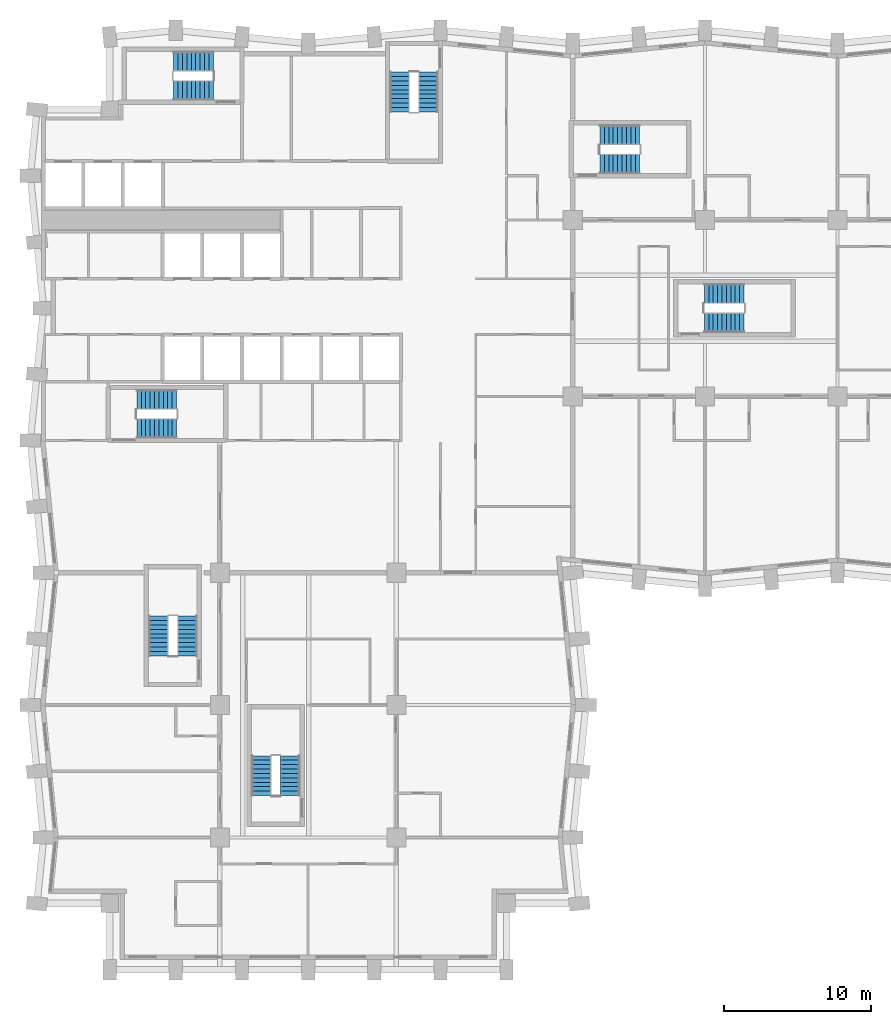
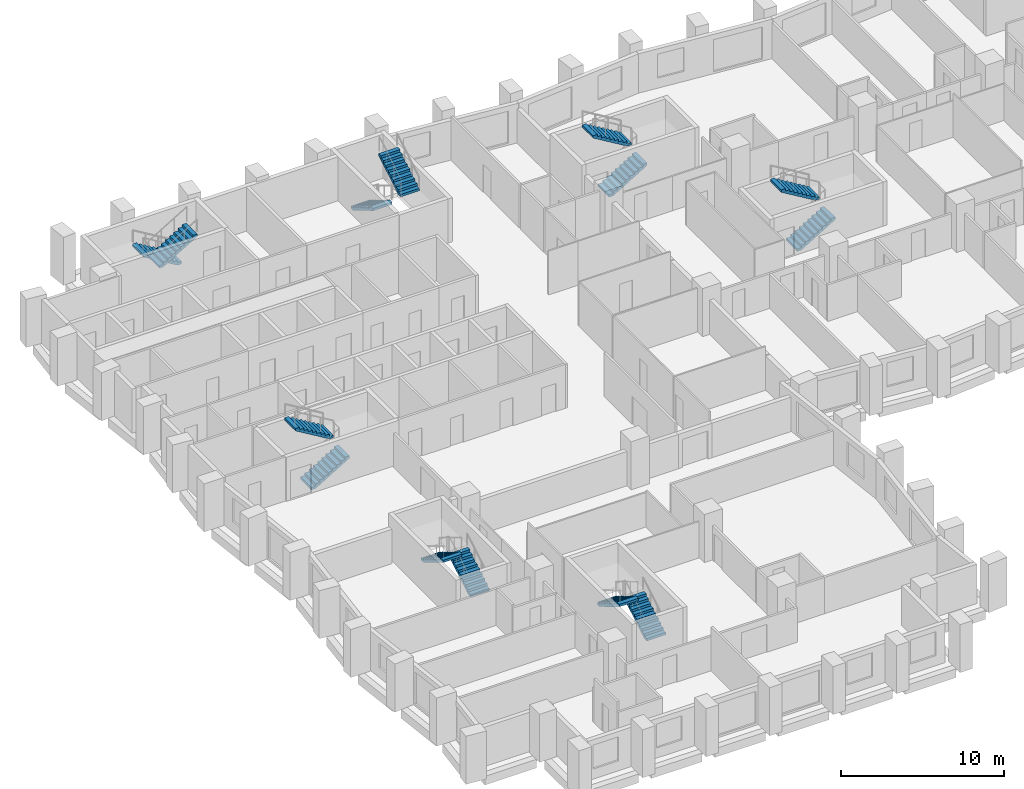
# One storey, part 11 of 13: 14 stair flights, 7 elements without a shape of their own.
"""IFC4 building model written with IfcOpenShell, lengths in metres."""

from ifc_helpers import new_model, si_unit, direction, frame, origin, place, context, subcontext, project, spatial, polyline, outline, extrude, material, type_object, element, aggregate, save


model = new_model("IFC4")

# Units and contexts
model_context = context("Model", 3, precision=1e-05, world=origin(), true_north=direction((0.0, 1.0)))
body_context = subcontext(model_context, "Body", "Model", "MODEL_VIEW")
ifc_project = project(units=[si_unit("LENGTHUNIT", "METRE"), si_unit("AREAUNIT", "SQUARE_METRE"), si_unit("VOLUMEUNIT", "CUBIC_METRE"), si_unit("PLANEANGLEUNIT", "RADIAN"), si_unit("MASSUNIT", "GRAM", prefix="KILO")], contexts=[model_context])

# Site, building, storey
site_placement = place(None, origin())
site = spatial("IfcSite", under=ifc_project, at=site_placement, CompositionType="ELEMENT")
building_placement = place(site_placement, origin())
building = spatial("IfcBuilding", under=site, at=building_placement, Name="Brondeck Convention Tower", CompositionType="ELEMENT")
storey_placement = place(building_placement, frame((0.0, 0.0, 73.5)))
storey = spatial("IfcBuildingStorey", under=building, at=storey_placement, Name="L16", CompositionType="ELEMENT", Elevation=73.5)

# Stair, stair flights
ifc_material = material(Name="Precast concrete C50/60", Category="concrete")
stair_type = type_object("IfcStairType", Name="Core stair 20 risers 180.00 mm riser 300 mm going 1350 wide", PredefinedType="HALF_TURN_STAIR", material=ifc_material)
stair_1_placement = place(storey_placement, origin())
stair_1 = element("IfcStair", 1, at=stair_1_placement, inside=storey, type_object=stair_type, Name="ST-1 L16 stair", PredefinedType="HALF_TURN_STAIR")
stair_flight_type = type_object("IfcStairFlightType", Name="Core stair flight 20 risers 180.00 mm riser 300 mm going 1350 wide", PredefinedType="STRAIGHT", material=ifc_material)
stair_flight_1_placement = place(storey_placement, frame((6.35009765625, 36.824951171875, 0.0), z_axis=(0.0, 0.0, 1.0), x_axis=(1.0, 0.0, 0.0)))
stair_flight_1 = element("IfcStairFlight", 2, at=stair_flight_1_placement, type_object=stair_flight_type, Name="ST-1 flight 1", NumberOfRisers=10, NumberOfTreads=9, PredefinedType="STRAIGHT", RiserHeight=0.18, TreadLength=0.3, context=body_context, shape_type="SweptSolid", body=[
    extrude(outline(polyline([(0.0, 0.0), (0.0, 0.179931640625), (0.300048828125, 0.179931640625), (0.300048828125, 0.360107421875), (0.60009765625, 0.360107421875), (0.60009765625, 0.5400390625), (0.89990234375, 0.5400390625), (0.89990234375, 0.719970703125), (1.199951171875, 0.719970703125), (1.199951171875, 0.89990234375), (1.5, 0.89990234375), (1.5, 1.080078125), (1.800048828125, 1.080078125), (1.800048828125, 1.260009765625), (2.10009765625, 1.260009765625), (2.10009765625, 1.43994140625), (2.39990234375, 1.43994140625), (2.39990234375, 1.6201171875), (2.699951171875, 1.6201171875), (2.699951171875, 1.800048828125), (2.699951171875, 1.445068359375), (0.291259765625, 0.0), (0.0, 0.0)])), frame((0.0, 0.675048828125, 0.0), z_axis=(0.0, -1.0, 0.0), x_axis=(1.0, 0.0, 0.0)), (0.0, 0.0, 1.0), 1.35009765625),
])
stair_flight_2_placement = place(storey_placement, frame((9.050048828125, 38.77490234375, 1.800048828125), z_axis=(0.0, 0.0, 1.0), x_axis=(-1.0, 0.0, 0.0)))
stair_flight_2 = element("IfcStairFlight", 3, at=stair_flight_2_placement, type_object=stair_flight_type, Name="ST-1 flight 2", NumberOfRisers=10, NumberOfTreads=9, PredefinedType="STRAIGHT", RiserHeight=0.18, TreadLength=0.3, context=body_context, shape_type="SweptSolid", body=[
    extrude(outline(polyline([(0.0, 0.0), (0.0, 0.179931640625), (0.300048828125, 0.179931640625), (0.300048828125, 0.360107421875), (0.60009765625, 0.360107421875), (0.60009765625, 0.5400390625), (0.89990234375, 0.5400390625), (0.89990234375, 0.719970703125), (1.199951171875, 0.719970703125), (1.199951171875, 0.89990234375), (1.5, 0.89990234375), (1.5, 1.080078125), (1.800048828125, 1.080078125), (1.800048828125, 1.260009765625), (2.10009765625, 1.260009765625), (2.10009765625, 1.43994140625), (2.39990234375, 1.43994140625), (2.39990234375, 1.6201171875), (2.699951171875, 1.6201171875), (2.699951171875, 1.800048828125), (2.699951171875, 1.445068359375), (0.291259765625, 0.0), (0.0, 0.0)])), frame((0.0, 0.675048828125, 0.0), z_axis=(0.0, -1.0, 0.0), x_axis=(1.0, 0.0, 0.0)), (0.0, 0.0, 1.0), 1.35009765625),
])
aggregate(stair_1, [stair_flight_1, stair_flight_2])

stair_2_placement = place(storey_placement, origin())
stair_2 = element("IfcStair", 4, at=stair_2_placement, inside=storey, type_object=stair_type, Name="ST-2 L16 stair", PredefinedType="HALF_TURN_STAIR")
stair_flight_3_placement = place(storey_placement, frame((24.22509765625, 61.050048828125, 0.0), z_axis=(0.0, 0.0, 1.0), x_axis=(0.0, -1.0, 0.0)))
stair_flight_3 = element("IfcStairFlight", 5, at=stair_flight_3_placement, type_object=stair_flight_type, Name="ST-2 flight 1", NumberOfRisers=10, NumberOfTreads=9, PredefinedType="STRAIGHT", RiserHeight=0.18, TreadLength=0.3, context=body_context, shape_type="SweptSolid", body=[
    extrude(outline(polyline([(0.0, 0.0), (0.0, 0.179931640625), (0.300048828125, 0.179931640625), (0.300048828125, 0.360107421875), (0.60009765625, 0.360107421875), (0.60009765625, 0.5400390625), (0.89990234375, 0.5400390625), (0.89990234375, 0.719970703125), (1.199951171875, 0.719970703125), (1.199951171875, 0.89990234375), (1.5, 0.89990234375), (1.5, 1.080078125), (1.800048828125, 1.080078125), (1.800048828125, 1.260009765625), (2.10009765625, 1.260009765625), (2.10009765625, 1.43994140625), (2.39990234375, 1.43994140625), (2.39990234375, 1.6201171875), (2.699951171875, 1.6201171875), (2.699951171875, 1.800048828125), (2.699951171875, 1.445068359375), (0.291259765625, 0.0), (0.0, 0.0)])), frame((0.0, 0.675048828125, 0.0), z_axis=(0.0, -1.0, 0.0), x_axis=(1.0, 0.0, 0.0)), (0.0, 0.0, 1.0), 1.35009765625),
])
stair_flight_4_placement = place(storey_placement, frame((26.175048828125, 58.35009765625, 1.800048828125), z_axis=(0.0, 0.0, 1.0), x_axis=(0.0, 1.0, 0.0)))
stair_flight_4 = element("IfcStairFlight", 6, at=stair_flight_4_placement, type_object=stair_flight_type, Name="ST-2 flight 2", NumberOfRisers=10, NumberOfTreads=9, PredefinedType="STRAIGHT", RiserHeight=0.18, TreadLength=0.3, context=body_context, shape_type="SweptSolid", body=[
    extrude(outline(polyline([(0.0, 0.0), (0.0, 0.179931640625), (0.300048828125, 0.179931640625), (0.300048828125, 0.360107421875), (0.60009765625, 0.360107421875), (0.60009765625, 0.5400390625), (0.89990234375, 0.5400390625), (0.89990234375, 0.719970703125), (1.199951171875, 0.719970703125), (1.199951171875, 0.89990234375), (1.5, 0.89990234375), (1.5, 1.080078125), (1.800048828125, 1.080078125), (1.800048828125, 1.260009765625), (2.10009765625, 1.260009765625), (2.10009765625, 1.43994140625), (2.39990234375, 1.43994140625), (2.39990234375, 1.6201171875), (2.699951171875, 1.6201171875), (2.699951171875, 1.800048828125), (2.699951171875, 1.445068359375), (0.291259765625, 0.0), (0.0, 0.0)])), frame((0.0, 0.675048828125, 0.0), z_axis=(0.0, -1.0, 0.0), x_axis=(1.0, 0.0, 0.0)), (0.0, 0.0, 1.0), 1.35009765625),
])
aggregate(stair_2, [stair_flight_3, stair_flight_4])

stair_3_placement = place(storey_placement, origin())
stair_3 = element("IfcStair", 7, at=stair_3_placement, inside=storey, type_object=stair_type, Name="ST-3 L16 stair", PredefinedType="HALF_TURN_STAIR")
stair_flight_5_placement = place(storey_placement, frame((11.550048828125, 61.77490234375, 0.0), z_axis=(0.0, 0.0, 1.0), x_axis=(-1.0, 0.0, 0.0)))
stair_flight_5 = element("IfcStairFlight", 8, at=stair_flight_5_placement, type_object=stair_flight_type, Name="ST-3 flight 1", NumberOfRisers=10, NumberOfTreads=9, PredefinedType="STRAIGHT", RiserHeight=0.18, TreadLength=0.3, context=body_context, shape_type="SweptSolid", body=[
    extrude(outline(polyline([(0.0, 0.0), (0.0, 0.179931640625), (0.300048828125, 0.179931640625), (0.300048828125, 0.360107421875), (0.60009765625, 0.360107421875), (0.60009765625, 0.5400390625), (0.89990234375, 0.5400390625), (0.89990234375, 0.719970703125), (1.199951171875, 0.719970703125), (1.199951171875, 0.89990234375), (1.5, 0.89990234375), (1.5, 1.080078125), (1.800048828125, 1.080078125), (1.800048828125, 1.260009765625), (2.10009765625, 1.260009765625), (2.10009765625, 1.43994140625), (2.39990234375, 1.43994140625), (2.39990234375, 1.6201171875), (2.699951171875, 1.6201171875), (2.699951171875, 1.800048828125), (2.699951171875, 1.445068359375), (0.291259765625, 0.0), (0.0, 0.0)])), frame((0.0, 0.675048828125, 0.0), z_axis=(0.0, -1.0, 0.0), x_axis=(1.0, 0.0, 0.0)), (0.0, 0.0, 1.0), 1.35009765625),
])
stair_flight_6_placement = place(storey_placement, frame((8.85009765625, 59.824951171875, 1.800048828125), z_axis=(0.0, 0.0, 1.0), x_axis=(1.0, 0.0, 0.0)))
stair_flight_6 = element("IfcStairFlight", 9, at=stair_flight_6_placement, type_object=stair_flight_type, Name="ST-3 flight 2", NumberOfRisers=10, NumberOfTreads=9, PredefinedType="STRAIGHT", RiserHeight=0.18, TreadLength=0.3, context=body_context, shape_type="SweptSolid", body=[
    extrude(outline(polyline([(0.0, 0.0), (0.0, 0.179931640625), (0.300048828125, 0.179931640625), (0.300048828125, 0.360107421875), (0.60009765625, 0.360107421875), (0.60009765625, 0.5400390625), (0.89990234375, 0.5400390625), (0.89990234375, 0.719970703125), (1.199951171875, 0.719970703125), (1.199951171875, 0.89990234375), (1.5, 0.89990234375), (1.5, 1.080078125), (1.800048828125, 1.080078125), (1.800048828125, 1.260009765625), (2.10009765625, 1.260009765625), (2.10009765625, 1.43994140625), (2.39990234375, 1.43994140625), (2.39990234375, 1.6201171875), (2.699951171875, 1.6201171875), (2.699951171875, 1.800048828125), (2.699951171875, 1.445068359375), (0.291259765625, 0.0), (0.0, 0.0)])), frame((0.0, 0.675048828125, 0.0), z_axis=(0.0, -1.0, 0.0), x_axis=(1.0, 0.0, 0.0)), (0.0, 0.0, 1.0), 1.35009765625),
])
aggregate(stair_3, [stair_flight_5, stair_flight_6])

stair_4_placement = place(storey_placement, origin())
stair_4 = element("IfcStair", 10, at=stair_4_placement, inside=storey, type_object=stair_type, Name="ST-AE L16 stair", PredefinedType="HALF_TURN_STAIR")
stair_flight_7_placement = place(storey_placement, frame((37.85009765625, 54.824951171875, 0.0), z_axis=(0.0, 0.0, 1.0), x_axis=(1.0, 0.0, 0.0)))
stair_flight_7 = element("IfcStairFlight", 11, at=stair_flight_7_placement, type_object=stair_flight_type, Name="ST-AE flight 1", NumberOfRisers=10, NumberOfTreads=9, PredefinedType="STRAIGHT", RiserHeight=0.18, TreadLength=0.3, context=body_context, shape_type="SweptSolid", body=[
    extrude(outline(polyline([(0.0, 0.0), (0.0, 0.179931640625), (0.300048828125, 0.179931640625), (0.300048828125, 0.360107421875), (0.60009765625, 0.360107421875), (0.60009765625, 0.5400390625), (0.89990234375, 0.5400390625), (0.89990234375, 0.719970703125), (1.199951171875, 0.719970703125), (1.199951171875, 0.89990234375), (1.5, 0.89990234375), (1.5, 1.080078125), (1.800048828125, 1.080078125), (1.800048828125, 1.260009765625), (2.10009765625, 1.260009765625), (2.10009765625, 1.43994140625), (2.39990234375, 1.43994140625), (2.39990234375, 1.6201171875), (2.699951171875, 1.6201171875), (2.699951171875, 1.800048828125), (2.699951171875, 1.445068359375), (0.291259765625, 0.0), (0.0, 0.0)])), frame((0.0, 0.675048828125, 0.0), z_axis=(0.0, -1.0, 0.0), x_axis=(1.0, 0.0, 0.0)), (0.0, 0.0, 1.0), 1.35009765625),
])
stair_flight_8_placement = place(storey_placement, frame((40.550048828125, 56.77490234375, 1.800048828125), z_axis=(0.0, 0.0, 1.0), x_axis=(-1.0, 0.0, 0.0)))
stair_flight_8 = element("IfcStairFlight", 12, at=stair_flight_8_placement, type_object=stair_flight_type, Name="ST-AE flight 2", NumberOfRisers=10, NumberOfTreads=9, PredefinedType="STRAIGHT", RiserHeight=0.18, TreadLength=0.3, context=body_context, shape_type="SweptSolid", body=[
    extrude(outline(polyline([(0.0, 0.0), (0.0, 0.179931640625), (0.300048828125, 0.179931640625), (0.300048828125, 0.360107421875), (0.60009765625, 0.360107421875), (0.60009765625, 0.5400390625), (0.89990234375, 0.5400390625), (0.89990234375, 0.719970703125), (1.199951171875, 0.719970703125), (1.199951171875, 0.89990234375), (1.5, 0.89990234375), (1.5, 1.080078125), (1.800048828125, 1.080078125), (1.800048828125, 1.260009765625), (2.10009765625, 1.260009765625), (2.10009765625, 1.43994140625), (2.39990234375, 1.43994140625), (2.39990234375, 1.6201171875), (2.699951171875, 1.6201171875), (2.699951171875, 1.800048828125), (2.699951171875, 1.445068359375), (0.291259765625, 0.0), (0.0, 0.0)])), frame((0.0, 0.675048828125, 0.0), z_axis=(0.0, -1.0, 0.0), x_axis=(1.0, 0.0, 0.0)), (0.0, 0.0, 1.0), 1.35009765625),
])
aggregate(stair_4, [stair_flight_7, stair_flight_8])

stair_5_placement = place(storey_placement, origin())
stair_5 = element("IfcStair", 13, at=stair_5_placement, inside=storey, type_object=stair_type, Name="ST-BE L16 stair", PredefinedType="HALF_TURN_STAIR")
stair_flight_9_placement = place(storey_placement, frame((9.77490234375, 21.35009765625, 0.0), z_axis=(0.0, 0.0, 1.0), x_axis=(0.0, 1.0, 0.0)))
stair_flight_9 = element("IfcStairFlight", 14, at=stair_flight_9_placement, type_object=stair_flight_type, Name="ST-BE flight 1", NumberOfRisers=10, NumberOfTreads=9, PredefinedType="STRAIGHT", RiserHeight=0.18, TreadLength=0.3, context=body_context, shape_type="SweptSolid", body=[
    extrude(outline(polyline([(0.0, 0.0), (0.0, 0.179931640625), (0.300048828125, 0.179931640625), (0.300048828125, 0.360107421875), (0.60009765625, 0.360107421875), (0.60009765625, 0.5400390625), (0.89990234375, 0.5400390625), (0.89990234375, 0.719970703125), (1.199951171875, 0.719970703125), (1.199951171875, 0.89990234375), (1.5, 0.89990234375), (1.5, 1.080078125), (1.800048828125, 1.080078125), (1.800048828125, 1.260009765625), (2.10009765625, 1.260009765625), (2.10009765625, 1.43994140625), (2.39990234375, 1.43994140625), (2.39990234375, 1.6201171875), (2.699951171875, 1.6201171875), (2.699951171875, 1.800048828125), (2.699951171875, 1.445068359375), (0.291259765625, 0.0), (0.0, 0.0)])), frame((0.0, 0.675048828125, 0.0), z_axis=(0.0, -1.0, 0.0), x_axis=(1.0, 0.0, 0.0)), (0.0, 0.0, 1.0), 1.35009765625),
])
stair_flight_10_placement = place(storey_placement, frame((7.824951171875, 24.050048828125, 1.800048828125), z_axis=(0.0, 0.0, 1.0), x_axis=(0.0, -1.0, 0.0)))
stair_flight_10 = element("IfcStairFlight", 15, at=stair_flight_10_placement, type_object=stair_flight_type, Name="ST-BE flight 2", NumberOfRisers=10, NumberOfTreads=9, PredefinedType="STRAIGHT", RiserHeight=0.18, TreadLength=0.3, context=body_context, shape_type="SweptSolid", body=[
    extrude(outline(polyline([(0.0, 0.0), (0.0, 0.179931640625), (0.300048828125, 0.179931640625), (0.300048828125, 0.360107421875), (0.60009765625, 0.360107421875), (0.60009765625, 0.5400390625), (0.89990234375, 0.5400390625), (0.89990234375, 0.719970703125), (1.199951171875, 0.719970703125), (1.199951171875, 0.89990234375), (1.5, 0.89990234375), (1.5, 1.080078125), (1.800048828125, 1.080078125), (1.800048828125, 1.260009765625), (2.10009765625, 1.260009765625), (2.10009765625, 1.43994140625), (2.39990234375, 1.43994140625), (2.39990234375, 1.6201171875), (2.699951171875, 1.6201171875), (2.699951171875, 1.800048828125), (2.699951171875, 1.445068359375), (0.291259765625, 0.0), (0.0, 0.0)])), frame((0.0, 0.675048828125, 0.0), z_axis=(0.0, -1.0, 0.0), x_axis=(1.0, 0.0, 0.0)), (0.0, 0.0, 1.0), 1.35009765625),
])
aggregate(stair_5, [stair_flight_9, stair_flight_10])

stair_6_placement = place(storey_placement, origin())
stair_6 = element("IfcStair", 16, at=stair_6_placement, inside=storey, type_object=stair_type, Name="ST-AF L16 stair", PredefinedType="HALF_TURN_STAIR")
stair_flight_11_placement = place(storey_placement, frame((44.949951171875, 44.02490234375, 0.0), z_axis=(0.0, 0.0, 1.0), x_axis=(1.0, 0.0, 0.0)))
stair_flight_11 = element("IfcStairFlight", 17, at=stair_flight_11_placement, type_object=stair_flight_type, Name="ST-AF flight 1", NumberOfRisers=10, NumberOfTreads=9, PredefinedType="STRAIGHT", RiserHeight=0.18, TreadLength=0.3, context=body_context, shape_type="SweptSolid", body=[
    extrude(outline(polyline([(0.0, 0.0), (0.0, 0.179931640625), (0.300048828125, 0.179931640625), (0.300048828125, 0.360107421875), (0.60009765625, 0.360107421875), (0.60009765625, 0.5400390625), (0.89990234375, 0.5400390625), (0.89990234375, 0.719970703125), (1.199951171875, 0.719970703125), (1.199951171875, 0.89990234375), (1.5, 0.89990234375), (1.5, 1.080078125), (1.800048828125, 1.080078125), (1.800048828125, 1.260009765625), (2.10009765625, 1.260009765625), (2.10009765625, 1.43994140625), (2.39990234375, 1.43994140625), (2.39990234375, 1.6201171875), (2.699951171875, 1.6201171875), (2.699951171875, 1.800048828125), (2.699951171875, 1.445068359375), (0.291259765625, 0.0), (0.0, 0.0)])), frame((0.0, 0.675048828125, 0.0), z_axis=(0.0, -1.0, 0.0), x_axis=(1.0, 0.0, 0.0)), (0.0, 0.0, 1.0), 1.35009765625),
])
stair_flight_12_placement = place(storey_placement, frame((47.64990234375, 45.97509765625, 1.800048828125), z_axis=(0.0, 0.0, 1.0), x_axis=(-1.0, 0.0, 0.0)))
stair_flight_12 = element("IfcStairFlight", 18, at=stair_flight_12_placement, type_object=stair_flight_type, Name="ST-AF flight 2", NumberOfRisers=10, NumberOfTreads=9, PredefinedType="STRAIGHT", RiserHeight=0.18, TreadLength=0.3, context=body_context, shape_type="SweptSolid", body=[
    extrude(outline(polyline([(0.0, 0.0), (0.0, 0.179931640625), (0.300048828125, 0.179931640625), (0.300048828125, 0.360107421875), (0.60009765625, 0.360107421875), (0.60009765625, 0.5400390625), (0.89990234375, 0.5400390625), (0.89990234375, 0.719970703125), (1.199951171875, 0.719970703125), (1.199951171875, 0.89990234375), (1.5, 0.89990234375), (1.5, 1.080078125), (1.800048828125, 1.080078125), (1.800048828125, 1.260009765625), (2.10009765625, 1.260009765625), (2.10009765625, 1.43994140625), (2.39990234375, 1.43994140625), (2.39990234375, 1.6201171875), (2.699951171875, 1.6201171875), (2.699951171875, 1.800048828125), (2.699951171875, 1.445068359375), (0.291259765625, 0.0), (0.0, 0.0)])), frame((0.0, 0.675048828125, 0.0), z_axis=(0.0, -1.0, 0.0), x_axis=(1.0, 0.0, 0.0)), (0.0, 0.0, 1.0), 1.35009765625),
])
aggregate(stair_6, [stair_flight_11, stair_flight_12])

stair_7_placement = place(storey_placement, origin())
stair_7 = element("IfcStair", 19, at=stair_7_placement, inside=storey, type_object=stair_type, Name="ST-BF L16 stair", PredefinedType="HALF_TURN_STAIR")
stair_flight_13_placement = place(storey_placement, frame((16.77490234375, 11.85009765625, 0.0), z_axis=(0.0, 0.0, 1.0), x_axis=(0.0, 1.0, 0.0)))
stair_flight_13 = element("IfcStairFlight", 20, at=stair_flight_13_placement, type_object=stair_flight_type, Name="ST-BF flight 1", NumberOfRisers=10, NumberOfTreads=9, PredefinedType="STRAIGHT", RiserHeight=0.18, TreadLength=0.3, context=body_context, shape_type="SweptSolid", body=[
    extrude(outline(polyline([(0.0, 0.0), (0.0, 0.179931640625), (0.300048828125, 0.179931640625), (0.300048828125, 0.360107421875), (0.60009765625, 0.360107421875), (0.60009765625, 0.5400390625), (0.89990234375, 0.5400390625), (0.89990234375, 0.719970703125), (1.199951171875, 0.719970703125), (1.199951171875, 0.89990234375), (1.5, 0.89990234375), (1.5, 1.080078125), (1.800048828125, 1.080078125), (1.800048828125, 1.260009765625), (2.10009765625, 1.260009765625), (2.10009765625, 1.43994140625), (2.39990234375, 1.43994140625), (2.39990234375, 1.6201171875), (2.699951171875, 1.6201171875), (2.699951171875, 1.800048828125), (2.699951171875, 1.445068359375), (0.291259765625, 0.0), (0.0, 0.0)])), frame((0.0, 0.675048828125, 0.0), z_axis=(0.0, -1.0, 0.0), x_axis=(1.0, 0.0, 0.0)), (0.0, 0.0, 1.0), 1.35009765625),
])
stair_flight_14_placement = place(storey_placement, frame((14.824951171875, 14.550048828125, 1.800048828125), z_axis=(0.0, 0.0, 1.0), x_axis=(0.0, -1.0, 0.0)))
stair_flight_14 = element("IfcStairFlight", 21, at=stair_flight_14_placement, type_object=stair_flight_type, Name="ST-BF flight 2", NumberOfRisers=10, NumberOfTreads=9, PredefinedType="STRAIGHT", RiserHeight=0.18, TreadLength=0.3, context=body_context, shape_type="SweptSolid", body=[
    extrude(outline(polyline([(0.0, 0.0), (0.0, 0.179931640625), (0.300048828125, 0.179931640625), (0.300048828125, 0.360107421875), (0.60009765625, 0.360107421875), (0.60009765625, 0.5400390625), (0.89990234375, 0.5400390625), (0.89990234375, 0.719970703125), (1.199951171875, 0.719970703125), (1.199951171875, 0.89990234375), (1.5, 0.89990234375), (1.5, 1.080078125), (1.800048828125, 1.080078125), (1.800048828125, 1.260009765625), (2.10009765625, 1.260009765625), (2.10009765625, 1.43994140625), (2.39990234375, 1.43994140625), (2.39990234375, 1.6201171875), (2.699951171875, 1.6201171875), (2.699951171875, 1.800048828125), (2.699951171875, 1.445068359375), (0.291259765625, 0.0), (0.0, 0.0)])), frame((0.0, 0.675048828125, 0.0), z_axis=(0.0, -1.0, 0.0), x_axis=(1.0, 0.0, 0.0)), (0.0, 0.0, 1.0), 1.35009765625),
])
aggregate(stair_7, [stair_flight_13, stair_flight_14])

save(model, "model.ifc")
